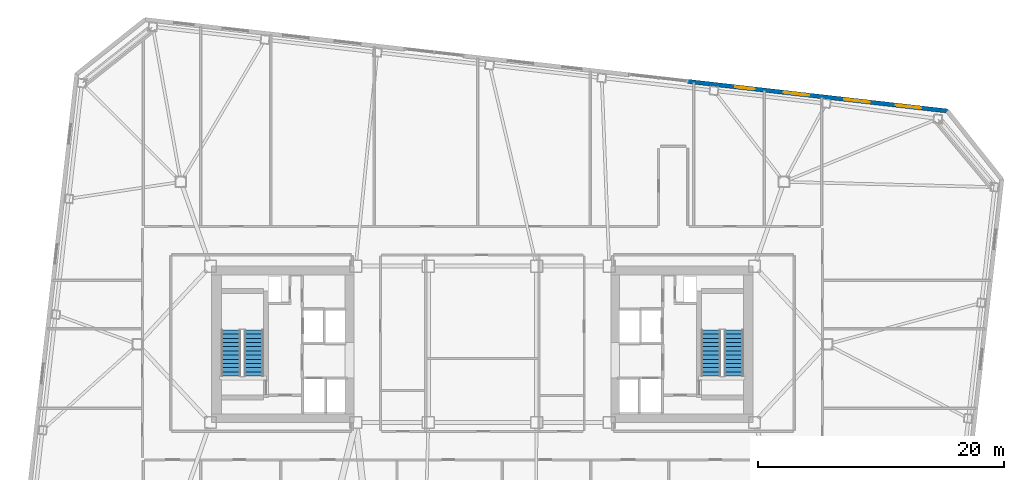
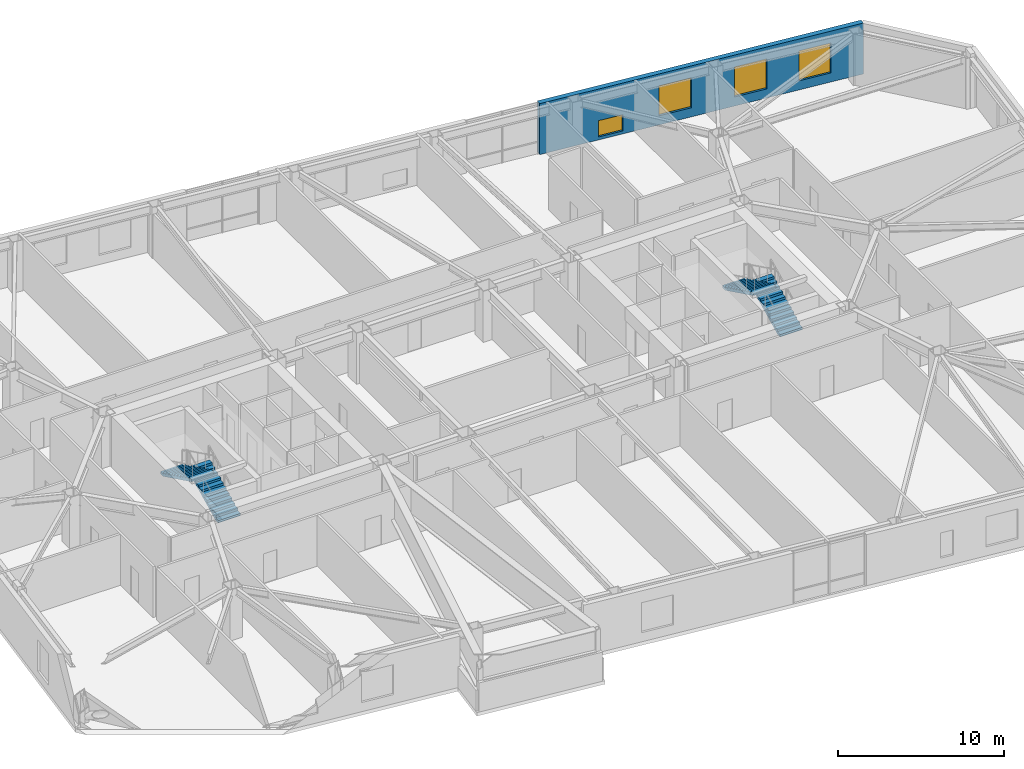
# One storey, part 14 of 19: 4 stair flights, 4 windows, 1 wall, 4 openings, 2 elements without a shape of their own.
"""IFC4 building model written with IfcOpenShell, lengths in metres."""

import ifcopenshell
import ifcopenshell.guid

model = None  # the IFC model being written
_history = None  # IfcOwnerHistory: only IFC2X3 demands one
_inside = {}  # id of a spatial element -> (the spatial element, [elements in it])
_under = {}  # id of a project, library or spatial element -> (it, [spatial elements below it])
_declared = {}  # id of a project -> (the project, [libraries it declares])
_typed = {}  # id of a type object -> (the type object, [elements of that type])
_made_of = {}  # id of a material, layer set ... -> (it, [elements and type objects made of it])


def new_model(schema):
    """Start an empty IFC model of exactly this schema.

    Asked for "IFC4X3", IfcOpenShell would pick the latest addendum, in which some entities
    have other attributes; the version numbers below select the first issue.
    IFC2X3 requires an IfcOwnerHistory on every rooted entity: one is made here for all.
    """
    global model, _history
    if schema == "IFC4X3":
        model = ifcopenshell.file(schema_version=(4, 3, 0, 0))
    else:
        model = ifcopenshell.file(schema=schema)
    _inside.clear()
    _under.clear()
    _declared.clear()
    _typed.clear()
    _made_of.clear()
    _history = None
    if model.schema == "IFC2X3":
        org = make("IfcOrganization", Name="unknown")
        user = make(
            "IfcPersonAndOrganization",
            ThePerson=make("IfcPerson", FamilyName="unknown"),
            TheOrganization=org,
        )
        app = make(
            "IfcApplication",
            ApplicationDeveloper=org,
            Version="unknown",
            ApplicationFullName="unknown",
            ApplicationIdentifier="unknown",
        )
        _history = make(
            "IfcOwnerHistory",
            OwningUser=user,
            OwningApplication=app,
            ChangeAction="ADDED",
            CreationDate=0,
        )
    return model


def make(cls, **values):
    """One entity of the class cls with the attributes given. An attribute that is None is left unset."""
    return model.create_entity(
        cls, **{name: value for name, value in values.items() if value is not None}
    )


def rooted(cls, **values):
    """An entity with a GlobalId (a new one), such as an element, a storey or a relation."""
    return make(cls, GlobalId=ifcopenshell.guid.new(), OwnerHistory=_history, **values)


def si_unit(unit_type, name, prefix=None):
    """IfcSIUnit, for example si_unit("LENGTHUNIT", "METRE", prefix="MILLI")."""
    return make("IfcSIUnit", UnitType=unit_type, Prefix=prefix, Name=name)


def assignment(units):
    """IfcUnitAssignment: the units of a project."""
    return None if units is None else make("IfcUnitAssignment", Units=units)


def point(xyz):
    """IfcCartesianPoint."""
    return None if xyz is None else make("IfcCartesianPoint", Coordinates=xyz)


def direction(xyz):
    """IfcDirection."""
    return None if xyz is None else make("IfcDirection", DirectionRatios=xyz)


def frame(location, z_axis=None, x_axis=None):
    """IfcAxis2Placement3D, a coordinate frame: its origin and axes. An axis left out is left unset."""
    return make(
        "IfcAxis2Placement3D",
        Location=point(location),
        Axis=direction(z_axis),
        RefDirection=direction(x_axis),
    )


def frame_2d(location, x_axis=None):
    """IfcAxis2Placement2D, a coordinate frame in the plane: its origin and x axis."""
    return make(
        "IfcAxis2Placement2D", Location=point(location), RefDirection=direction(x_axis)
    )


def origin():
    """The frame at (0, 0, 0) with its axes left unset."""
    return frame((0.0, 0.0, 0.0))


def place(relative_to, where):
    """IfcLocalPlacement: puts the frame where relative to a parent placement (None: the world)."""
    return make(
        "IfcLocalPlacement", PlacementRelTo=relative_to, RelativePlacement=where
    )


def context(
    kind, dimensions, precision=None, world=None, true_north=None, identifier=None
):
    """IfcGeometricRepresentationContext, for example the 3D "Model" context."""
    return make(
        "IfcGeometricRepresentationContext",
        ContextIdentifier=identifier,
        ContextType=kind,
        CoordinateSpaceDimension=dimensions,
        Precision=precision,
        WorldCoordinateSystem=world,
        TrueNorth=true_north,
    )


def subcontext(parent, identifier, kind, view, scale=None):
    """IfcGeometricRepresentationSubContext, for example "Body" below "Model"."""
    return make(
        "IfcGeometricRepresentationSubContext",
        ContextIdentifier=identifier,
        ContextType=kind,
        ParentContext=parent,
        TargetScale=scale,
        TargetView=view,
    )


def project(units=None, contexts=None):
    """IfcProject with its units and contexts."""
    return rooted(
        "IfcProject",
        Name="project",
        RepresentationContexts=contexts,
        UnitsInContext=assignment(units),
    )


def spatial(cls, under=None, at=None, **own):
    """A site, building, storey or space (cls), placed at a placement, below another one or the project."""
    s = rooted(cls, ObjectPlacement=at, **own)
    if under is not None:
        _under.setdefault(under.id(), (under, []))[1].append(s)
    return s


def polyline(points):
    """IfcPolyline through the points."""
    return make("IfcPolyline", Points=[point(p) for p in points])


def profile(cls, at=None, kind="AREA", **sizes):
    """A parametric profile (cls). Its sizes go by their IFC names, for example OverallWidth=200.0."""
    return make(cls, ProfileType=kind, Position=at, **sizes)


def rectangle(**sizes):
    """IfcRectangleProfileDef."""
    return profile("IfcRectangleProfileDef", **sizes)


def outline(outer, holes=None, kind="AREA"):
    """IfcArbitraryClosedProfileDef: a profile drawn as a closed curve; with holes, ...WithVoids."""
    if holes is None:
        return make("IfcArbitraryClosedProfileDef", ProfileType=kind, OuterCurve=outer)
    return make(
        "IfcArbitraryProfileDefWithVoids",
        ProfileType=kind,
        OuterCurve=outer,
        InnerCurves=holes,
    )


def extrude(swept, where, along, depth):
    """IfcExtrudedAreaSolid: the profile swept, set in the frame where, extruded along a direction by depth."""
    return make(
        "IfcExtrudedAreaSolid",
        SweptArea=swept,
        Position=where,
        ExtrudedDirection=direction(along),
        Depth=depth,
    )


def shape(context_of_items, identifier, shape_type, items):
    """IfcShapeRepresentation: the items that make up one representation, for example the "Body"."""
    return make(
        "IfcShapeRepresentation",
        ContextOfItems=context_of_items,
        RepresentationIdentifier=identifier,
        RepresentationType=shape_type,
        Items=items,
    )


def material(Name=None, Category=None):
    """IfcMaterial."""
    return make("IfcMaterial", Name=Name, Category=Category)


def layer(
    of_material, thickness, ventilated=None, Name=None, Category=None, Priority=None
):
    """IfcMaterialLayer: one layer of a wall or slab, of a material (None: an air gap)."""
    return make(
        "IfcMaterialLayer",
        Material=of_material,
        LayerThickness=thickness,
        IsVentilated=ventilated,
        Name=Name,
        Category=Category,
        Priority=Priority,
    )


def layer_set(layers, Name=None):
    """IfcMaterialLayerSet."""
    return make("IfcMaterialLayerSet", MaterialLayers=layers, LayerSetName=Name)


def made_of(thing, what):
    """Note that an element or type object is made of a material, layer set ...; save() writes the relation."""
    if what is not None:
        _made_of.setdefault(what.id(), (what, []))[1].append(thing)
    return thing


def type_object(cls, material=None, **own):
    """A type object (cls), such as IfcWallType, which elements share."""
    return made_of(rooted(cls, **own), material)


def element(
    cls,
    number,
    at=None,
    inside=None,
    cuts=None,
    type_object=None,
    material=None,
    context=None,
    identifier="Body",
    shape_type=None,
    held_by="IfcProductDefinitionShape",
    body=None,
    shapes=None,
    **own,
):
    """One element of the class cls, such as IfcWall. Its Tag is "e" and its number.

    at: its placement. inside: the storey or other place that contains it. cuts: it is an
    opening in that element (IfcRelVoidsElement). A single representation is given by context,
    identifier, shape_type and body (its items); several are given by shapes. held_by: the class
    of the entity that holds the representations. save() writes the other relations.
    """
    e = rooted(cls, Tag="e%d" % number, ObjectPlacement=at, **own)
    if body is not None:
        shapes = [shape(context, identifier, shape_type, body)]
    if shapes is not None:
        e.Representation = make(held_by, Representations=shapes)
    if inside is not None:
        _inside.setdefault(inside.id(), (inside, []))[1].append(e)
    if cuts is not None:
        rooted(
            "IfcRelVoidsElement", RelatingBuildingElement=cuts, RelatedOpeningElement=e
        )
    if type_object is not None:
        _typed.setdefault(type_object.id(), (type_object, []))[1].append(e)
    return made_of(e, material)


def fill(opening, filler):
    """IfcRelFillsElement: the door or window that sits in an opening."""
    return rooted(
        "IfcRelFillsElement",
        RelatingOpeningElement=opening,
        RelatedBuildingElement=filler,
    )


def aggregate(whole, parts):
    """IfcRelAggregates: a whole, such as a stair, and the parts it consists of."""
    return rooted("IfcRelAggregates", RelatingObject=whole, RelatedObjects=parts)


def save(model, path):
    """Write the relations noted so far, then the file.

    IfcRelAggregates (storeys below a building ...), IfcRelContainedInSpatialStructure (elements
    in a storey), IfcRelDefinesByType, IfcRelAssociatesMaterial and IfcRelDeclares: one each for
    every whole, place, type object, material and project.
    """
    for whole, parts in _under.values():
        aggregate(whole, parts)
    for where, things in _inside.values():
        rooted(
            "IfcRelContainedInSpatialStructure",
            RelatedElements=things,
            RelatingStructure=where,
        )
    for kind, things in _typed.values():
        rooted("IfcRelDefinesByType", RelatedObjects=things, RelatingType=kind)
    for what, things in _made_of.values():
        rooted("IfcRelAssociatesMaterial", RelatedObjects=things, RelatingMaterial=what)
    for by, libraries in _declared.values():
        rooted("IfcRelDeclares", RelatingContext=by, RelatedDefinitions=libraries)
    model.write(path)


model = new_model("IFC4")

# Units and contexts
model_context = context("Model", 3, precision=1e-05, world=origin(), true_north=direction((0.0, 1.0)))
body_context = subcontext(model_context, "Body", "Model", "MODEL_VIEW")
ifc_project = project(units=[si_unit("LENGTHUNIT", "METRE"), si_unit("AREAUNIT", "SQUARE_METRE"), si_unit("VOLUMEUNIT", "CUBIC_METRE"), si_unit("PLANEANGLEUNIT", "RADIAN"), si_unit("MASSUNIT", "GRAM", prefix="KILO")], contexts=[model_context])

# Site, building, storey
site_placement = place(None, origin())
site = spatial("IfcSite", under=ifc_project, at=site_placement, CompositionType="ELEMENT")
building_placement = place(site_placement, origin())
building = spatial("IfcBuilding", under=site, at=building_placement, Name="Tavrogorsk Clinical Tower", CompositionType="ELEMENT")
storey_placement = place(building_placement, frame((0.0, 0.0, 97.39990234375)))
storey = spatial("IfcBuildingStorey", under=building, at=storey_placement, Name="L21", CompositionType="ELEMENT", Elevation=97.39990234375)

# Wall, openings, windows
ifc_material_1 = material(Name="Precast concrete B45 with limestone cladding", Category="masonry")
ifc_layer = layer(ifc_material_1, 0.340087890625)
ifc_layer_set = layer_set([ifc_layer], Name="Precast concrete B45 with limestone cladding")
wall_type = type_object("IfcWallType", Name="PrecastLimestoneWall_340", PredefinedType="STANDARD", material=ifc_layer_set)
wall_placement = place(storey_placement, frame((37.77734375, 18.95849609375, 0.0), z_axis=(0.0, 0.0, 1.0), x_axis=(-0.993571362037, 0.113207546299, 0.0)))
wall = element("IfcWall", 1, at=wall_placement, inside=storey, type_object=wall_type, Name="L21 N Limestone Facade Wall 1", PredefinedType="STANDARD", context=body_context, shape_type="SweptSolid", body=[
    extrude(rectangle(XDim=21.222900390625, YDim=0.340087890625, at=frame_2d((10.611328125, 0.0))), origin(), (0.0, 0.0, 1.0), 3.739990234375),
])
opening_1_placement = place(wall_placement, frame((15.75634765625, 0.0, 0.219970703125)))
opening_1 = element("IfcOpeningElement", 2, at=opening_1_placement, cuts=wall, Name="Opening WN-09", PredefinedType="OPENING", context=body_context, shape_type="SweptSolid", body=[
    extrude(rectangle(XDim=1.60009765625, YDim=1.199951171875, at=frame_2d((0.800048828125, 0.60009765625))), frame((0.0, 0.179931640625, 0.0), z_axis=(0.0, -1.0, 0.0), x_axis=(1.0, 0.0, 0.0)), (0.0, 0.0, 1.0), 0.360107421875),
])
opening_2_placement = place(wall_placement, frame((11.284912109375, 0.0, 0.669921875)))
opening_2 = element("IfcOpeningElement", 3, at=opening_2_placement, cuts=wall, Name="Opening WN-03", PredefinedType="OPENING", context=body_context, shape_type="SweptSolid", body=[
    extrude(rectangle(XDim=2.10009765625, YDim=2.199951171875, at=frame_2d((1.050048828125, 1.10009765625))), frame((0.0, 0.179931640625, 0.0), z_axis=(0.0, -1.0, 0.0), x_axis=(1.0, 0.0, 0.0)), (0.0, 0.0, 1.0), 0.360107421875),
])
opening_3_placement = place(wall_placement, frame((6.335693359375, 0.0, 0.669921875)))
opening_3 = element("IfcOpeningElement", 4, at=opening_3_placement, cuts=wall, Name="Opening WN-03", PredefinedType="OPENING", context=body_context, shape_type="SweptSolid", body=[
    extrude(rectangle(XDim=2.10009765625, YDim=2.199951171875, at=frame_2d((1.050048828125, 1.10009765625))), frame((0.0, 0.179931640625, 0.0), z_axis=(0.0, -1.0, 0.0), x_axis=(1.0, 0.0, 0.0)), (0.0, 0.0, 1.0), 0.360107421875),
])
opening_4_placement = place(wall_placement, frame((2.125244140625, 0.0, 0.669921875)))
opening_4 = element("IfcOpeningElement", 5, at=opening_4_placement, cuts=wall, Name="Opening WN-03", PredefinedType="OPENING", context=body_context, shape_type="SweptSolid", body=[
    extrude(rectangle(XDim=2.10009765625, YDim=2.199951171875, at=frame_2d((1.050048828125, 1.10009765625))), frame((0.0, 0.179931640625, 0.0), z_axis=(0.0, -1.0, 0.0), x_axis=(1.0, 0.0, 0.0)), (0.0, 0.0, 1.0), 0.360107421875),
])
ifc_material_2 = material(Name="Thermally broken aluminium frame and triple IGU", Category="aluminium")
window_type_1 = type_object("IfcWindowType", Name="LowHeadTransWin_1600x1200", PartitioningType="DOUBLE_PANEL_VERTICAL", PredefinedType="WINDOW", material=ifc_material_2)
window_1_placement = place(opening_1_placement, origin())
window_1 = element("IfcWindow", 6, at=window_1_placement, inside=storey, type_object=window_type_1, Name="L21 N Chicago Window 07", OverallHeight=1.199951171875, OverallWidth=1.60009765625, PartitioningType="SINGLE_PANEL", PredefinedType="WINDOW", context=body_context, shape_type="SweptSolid", body=[
    extrude(rectangle(XDim=1.60009765625, YDim=1.199951171875, at=frame_2d((0.800048828125, 0.60009765625))), frame((0.0, 0.030029296875, 0.0), z_axis=(0.0, -1.0, 0.0), x_axis=(1.0, 0.0, 0.0)), (0.0, 0.0, 1.0), 0.06005859375),
])
fill(opening_1, window_1)
ifc_material_3 = material(Name="Thermally broken aluminium frame and triple IGU", Category="aluminium")
window_type_2 = type_object("IfcWindowType", Name="PatientTwinWin_2100x2200", PartitioningType="DOUBLE_PANEL_VERTICAL", PredefinedType="WINDOW", material=ifc_material_3)
window_2_placement = place(opening_2_placement, origin())
window_2 = element("IfcWindow", 7, at=window_2_placement, inside=storey, type_object=window_type_2, Name="L21 N Chicago Window 08", OverallHeight=2.199951171875, OverallWidth=2.10009765625, PartitioningType="SINGLE_PANEL", PredefinedType="WINDOW", context=body_context, shape_type="SweptSolid", body=[
    extrude(rectangle(XDim=2.10009765625, YDim=2.199951171875, at=frame_2d((1.050048828125, 1.10009765625))), frame((0.0, 0.030029296875, 0.0), z_axis=(0.0, -1.0, 0.0), x_axis=(1.0, 0.0, 0.0)), (0.0, 0.0, 1.0), 0.06005859375),
])
fill(opening_2, window_2)
window_3_placement = place(opening_3_placement, origin())
window_3 = element("IfcWindow", 8, at=window_3_placement, inside=storey, type_object=window_type_2, Name="L21 N Chicago Window 09", OverallHeight=2.199951171875, OverallWidth=2.10009765625, PartitioningType="SINGLE_PANEL", PredefinedType="WINDOW", context=body_context, shape_type="SweptSolid", body=[
    extrude(rectangle(XDim=2.10009765625, YDim=2.199951171875, at=frame_2d((1.050048828125, 1.10009765625))), frame((0.0, 0.030029296875, 0.0), z_axis=(0.0, -1.0, 0.0), x_axis=(1.0, 0.0, 0.0)), (0.0, 0.0, 1.0), 0.06005859375),
])
fill(opening_3, window_3)
window_4_placement = place(opening_4_placement, origin())
window_4 = element("IfcWindow", 9, at=window_4_placement, inside=storey, type_object=window_type_2, Name="L21 N Chicago Window 10", OverallHeight=2.199951171875, OverallWidth=2.10009765625, PartitioningType="SINGLE_PANEL", PredefinedType="WINDOW", context=body_context, shape_type="SweptSolid", body=[
    extrude(rectangle(XDim=2.10009765625, YDim=2.199951171875, at=frame_2d((1.050048828125, 1.10009765625))), frame((0.0, 0.030029296875, 0.0), z_axis=(0.0, -1.0, 0.0), x_axis=(1.0, 0.0, 0.0)), (0.0, 0.0, 1.0), 0.06005859375),
])
fill(opening_4, window_4)

# Stair, stair flights
ifc_material_4 = material(Name="Concrete B60", Category="concrete")
stair_type = type_object("IfcStairType", Name="CoreStairAssembly", PredefinedType="HALF_TURN_STAIR", material=ifc_material_4)
stair_1_placement = place(storey_placement, origin())
stair_1 = element("IfcStair", 10, at=stair_1_placement, inside=storey, type_object=stair_type, Name="L21 ST-W", PredefinedType="HALF_TURN_STAIR")
ifc_material_5 = material(Name="Concrete B60", Category="concrete")
stair_flight_type = type_object("IfcStairFlightType", Name="CoreStairFlight", PredefinedType="STRAIGHT", material=ifc_material_5)
stair_flight_1_placement = place(storey_placement, frame((-18.574951171875, -2.574951171875, 0.0), z_axis=(0.0, 0.0, 1.0), x_axis=(0.0, 1.0, 0.0)))
stair_flight_1 = element("IfcStairFlight", 11, at=stair_flight_1_placement, type_object=stair_flight_type, Name="ST-W flight 1", NumberOfRisers=12, NumberOfTreads=11, PredefinedType="STRAIGHT", RiserHeight=0.166666667, TreadLength=0.34, context=body_context, shape_type="SweptSolid", body=[
    extrude(outline(polyline([(0.0, 0.0), (0.0, 0.166748046875), (0.340087890625, 0.166748046875), (0.340087890625, 0.333251953125), (0.679931640625, 0.333251953125), (0.679931640625, 0.5), (1.02001953125, 0.5), (1.02001953125, 0.666748046875), (1.360107421875, 0.666748046875), (1.360107421875, 0.833251953125), (1.699951171875, 0.833251953125), (1.699951171875, 1.0), (2.0400390625, 1.0), (2.0400390625, 1.166748046875), (2.3798828125, 1.166748046875), (2.3798828125, 1.333251953125), (2.719970703125, 1.333251953125), (2.719970703125, 1.5), (3.06005859375, 1.5), (3.06005859375, 1.666748046875), (3.39990234375, 1.666748046875), (3.39990234375, 1.833251953125), (3.739990234375, 1.833251953125), (3.739990234375, 2.0), (3.739990234375, 1.66650390625), (0.340576171875, 0.0), (0.0, 0.0)])), frame((0.0, 0.77490234375, 0.0), z_axis=(0.0, -1.0, 0.0), x_axis=(1.0, 0.0, 0.0)), (0.0, 0.0, 1.0), 1.550048828125),
])
stair_flight_2_placement = place(storey_placement, frame((-20.425048828125, 1.1650390625, 2.0), z_axis=(0.0, 0.0, 1.0), x_axis=(0.0, -1.0, 0.0)))
stair_flight_2 = element("IfcStairFlight", 12, at=stair_flight_2_placement, type_object=stair_flight_type, Name="ST-W flight 2", NumberOfRisers=12, NumberOfTreads=11, PredefinedType="STRAIGHT", RiserHeight=0.166666667, TreadLength=0.34, context=body_context, shape_type="SweptSolid", body=[
    extrude(outline(polyline([(0.0, 0.0), (0.0, 0.166748046875), (0.340087890625, 0.166748046875), (0.340087890625, 0.333251953125), (0.679931640625, 0.333251953125), (0.679931640625, 0.5), (1.02001953125, 0.5), (1.02001953125, 0.666748046875), (1.360107421875, 0.666748046875), (1.360107421875, 0.833251953125), (1.699951171875, 0.833251953125), (1.699951171875, 1.0), (2.0400390625, 1.0), (2.0400390625, 1.166748046875), (2.3798828125, 1.166748046875), (2.3798828125, 1.333251953125), (2.719970703125, 1.333251953125), (2.719970703125, 1.5), (3.06005859375, 1.5), (3.06005859375, 1.666748046875), (3.39990234375, 1.666748046875), (3.39990234375, 1.833251953125), (3.739990234375, 1.833251953125), (3.739990234375, 2.0), (3.739990234375, 1.66650390625), (0.340576171875, 0.0), (0.0, 0.0)])), frame((0.0, 0.77490234375, 0.0), z_axis=(0.0, -1.0, 0.0), x_axis=(1.0, 0.0, 0.0)), (0.0, 0.0, 1.0), 1.550048828125),
])
aggregate(stair_1, [stair_flight_1, stair_flight_2])

stair_2_placement = place(storey_placement, origin())
stair_2 = element("IfcStair", 13, at=stair_2_placement, inside=storey, type_object=stair_type, Name="L21 ST-E", PredefinedType="HALF_TURN_STAIR")
stair_flight_3_placement = place(storey_placement, frame((20.425048828125, -2.574951171875, 0.0), z_axis=(0.0, 0.0, 1.0), x_axis=(0.0, 1.0, 0.0)))
stair_flight_3 = element("IfcStairFlight", 14, at=stair_flight_3_placement, type_object=stair_flight_type, Name="ST-E flight 1", NumberOfRisers=12, NumberOfTreads=11, PredefinedType="STRAIGHT", RiserHeight=0.166666667, TreadLength=0.34, context=body_context, shape_type="SweptSolid", body=[
    extrude(outline(polyline([(0.0, 0.0), (0.0, 0.166748046875), (0.340087890625, 0.166748046875), (0.340087890625, 0.333251953125), (0.679931640625, 0.333251953125), (0.679931640625, 0.5), (1.02001953125, 0.5), (1.02001953125, 0.666748046875), (1.360107421875, 0.666748046875), (1.360107421875, 0.833251953125), (1.699951171875, 0.833251953125), (1.699951171875, 1.0), (2.0400390625, 1.0), (2.0400390625, 1.166748046875), (2.3798828125, 1.166748046875), (2.3798828125, 1.333251953125), (2.719970703125, 1.333251953125), (2.719970703125, 1.5), (3.06005859375, 1.5), (3.06005859375, 1.666748046875), (3.39990234375, 1.666748046875), (3.39990234375, 1.833251953125), (3.739990234375, 1.833251953125), (3.739990234375, 2.0), (3.739990234375, 1.66650390625), (0.340576171875, 0.0), (0.0, 0.0)])), frame((0.0, 0.77490234375, 0.0), z_axis=(0.0, -1.0, 0.0), x_axis=(1.0, 0.0, 0.0)), (0.0, 0.0, 1.0), 1.550048828125),
])
stair_flight_4_placement = place(storey_placement, frame((18.574951171875, 1.1650390625, 2.0), z_axis=(0.0, 0.0, 1.0), x_axis=(0.0, -1.0, 0.0)))
stair_flight_4 = element("IfcStairFlight", 15, at=stair_flight_4_placement, type_object=stair_flight_type, Name="ST-E flight 2", NumberOfRisers=12, NumberOfTreads=11, PredefinedType="STRAIGHT", RiserHeight=0.166666667, TreadLength=0.34, context=body_context, shape_type="SweptSolid", body=[
    extrude(outline(polyline([(0.0, 0.0), (0.0, 0.166748046875), (0.340087890625, 0.166748046875), (0.340087890625, 0.333251953125), (0.679931640625, 0.333251953125), (0.679931640625, 0.5), (1.02001953125, 0.5), (1.02001953125, 0.666748046875), (1.360107421875, 0.666748046875), (1.360107421875, 0.833251953125), (1.699951171875, 0.833251953125), (1.699951171875, 1.0), (2.0400390625, 1.0), (2.0400390625, 1.166748046875), (2.3798828125, 1.166748046875), (2.3798828125, 1.333251953125), (2.719970703125, 1.333251953125), (2.719970703125, 1.5), (3.06005859375, 1.5), (3.06005859375, 1.666748046875), (3.39990234375, 1.666748046875), (3.39990234375, 1.833251953125), (3.739990234375, 1.833251953125), (3.739990234375, 2.0), (3.739990234375, 1.66650390625), (0.340576171875, 0.0), (0.0, 0.0)])), frame((0.0, 0.77490234375, 0.0), z_axis=(0.0, -1.0, 0.0), x_axis=(1.0, 0.0, 0.0)), (0.0, 0.0, 1.0), 1.550048828125),
])
aggregate(stair_2, [stair_flight_3, stair_flight_4])

save(model, "model.ifc")
